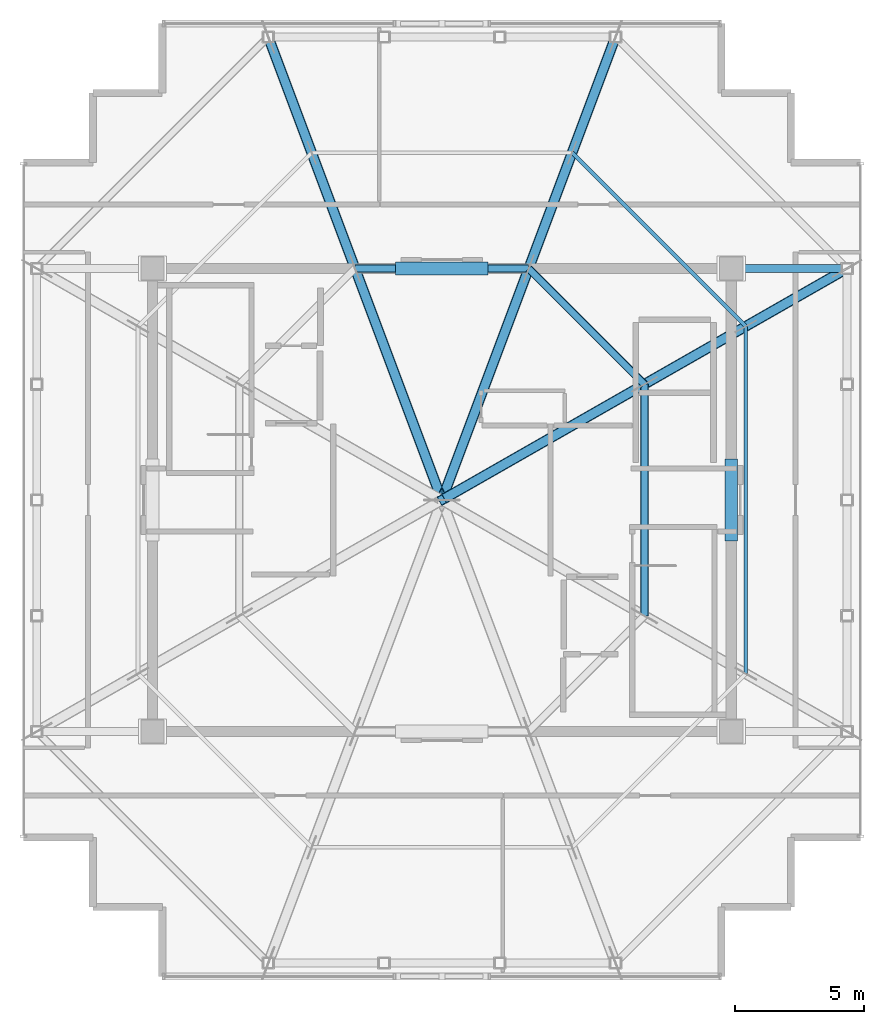
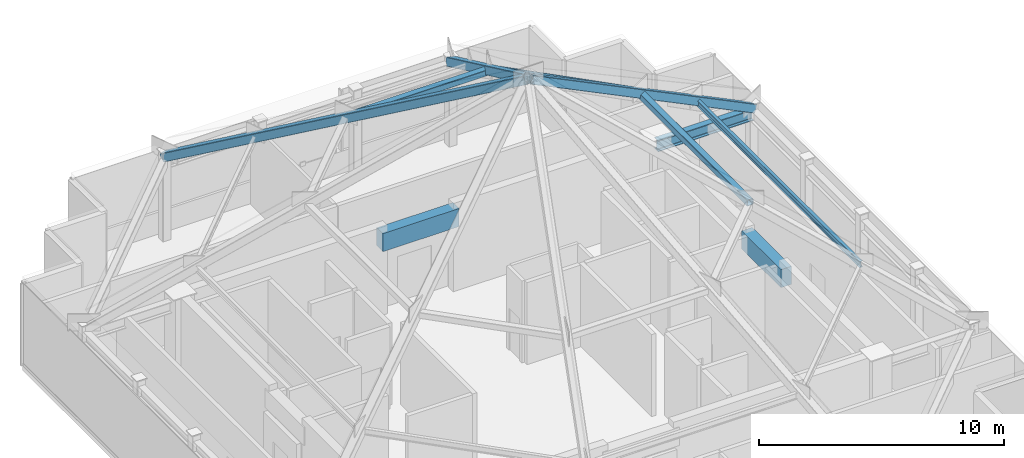
# One storey, part 7 of 17: 8 members, 3 beams.
"""IFC4 building model written with IfcOpenShell, lengths in metres."""

from ifc_helpers import new_model, si_unit, direction, frame, origin, origin_2d, place, context, subcontext, project, spatial, rectangle, hollow_rectangle, i_section, extrude, source, transform, mapped, material, material_profile, profile_set, type_object, element, save


model = new_model("IFC4")

# Units and contexts
model_context = context("Model", 3, precision=1e-05, world=origin(), true_north=direction((0.0, 1.0)))
body_context = subcontext(model_context, "Body", "Model", "MODEL_VIEW")
ifc_project = project(units=[si_unit("LENGTHUNIT", "METRE"), si_unit("AREAUNIT", "SQUARE_METRE"), si_unit("VOLUMEUNIT", "CUBIC_METRE"), si_unit("PLANEANGLEUNIT", "RADIAN"), si_unit("MASSUNIT", "GRAM", prefix="KILO")], contexts=[model_context])

# Site, building, storey
site_placement = place(None, origin())
site = spatial("IfcSite", under=ifc_project, at=site_placement, CompositionType="ELEMENT")
building_placement = place(site_placement, origin())
building = spatial("IfcBuilding", under=site, at=building_placement, Name="Nefas-Gora Pilgrimage Tower", CompositionType="ELEMENT")
storey_placement = place(building_placement, frame((0.0, 0.0, 367.39990234375)))
storey = spatial("IfcBuildingStorey", under=building, at=storey_placement, Name="L92", CompositionType="ELEMENT", Elevation=367.39990234375)

# Beams
ifc_material_1 = material(Name="Concrete C50/60", Category="concrete")
ifc_material_profile_1 = material_profile(ifc_material_1, rectangle(XDim=0.5, YDim=0.89990234375, at=origin_2d()), Name="RC 500x900")
ifc_profile_set_1 = profile_set([ifc_material_profile_1], Name="Concrete C50/60")
beam_type_1 = type_object("IfcBeamType", Name="BM-LIN-RC900", PredefinedType="LINTEL", material=ifc_profile_set_1)
shared_shape_1 = source(origin(), body_context, "Body", "SweptSolid", [
    extrude(rectangle(XDim=0.5, YDim=0.89990234375, at=origin_2d()), origin(), (0.0, 0.0, 1.0), 3.60009765625),
])
beam_1_placement = place(storey_placement, frame((-1.800048828125, 9.0, 3.650146484375), z_axis=(1.0, 0.0, 0.0), x_axis=(0.0, 1.0, 0.0)))
element("IfcBeam", 1, at=beam_1_placement, inside=storey, type_object=beam_type_1, Name="L92 Core Coupling Lintel Beam N", PredefinedType="LINTEL", context=body_context, shape_type="MappedRepresentation", body=[
    mapped(shared_shape_1, transform((0.0, 0.0, 0.0), x_axis=(1.0, 0.0, 0.0), y_axis=(0.0, 1.0, 0.0), z_axis=(0.0, 0.0, 1.0), scale=1.0)),
])
shared_shape_2 = source(origin(), body_context, "Body", "SweptSolid", [
    extrude(rectangle(XDim=0.5, YDim=0.89990234375, at=origin_2d()), origin(), (0.0, 0.0, 1.0), 3.2001953125),
])
beam_2_placement = place(storey_placement, frame((11.25, -1.60009765625, 3.650146484375), z_axis=(0.0, 1.0, 0.0), x_axis=(-1.0, 0.0, 0.0)))
element("IfcBeam", 2, at=beam_2_placement, inside=storey, type_object=beam_type_1, Name="L92 Core Coupling Lintel Beam E", PredefinedType="LINTEL", context=body_context, shape_type="MappedRepresentation", body=[
    mapped(shared_shape_2, transform((0.0, 0.0, 0.0), x_axis=(1.0, 0.0, 0.0), y_axis=(0.0, 1.0, 0.0), z_axis=(0.0, 0.0, 1.0), scale=1.0)),
])
ifc_material_2 = material(Name="Steel S355", Category="steel")
ifc_material_profile_2 = material_profile(ifc_material_2, i_section(OverallWidth=0.300048828125, OverallDepth=0.550048828125, WebThickness=0.014892578125, FlangeThickness=0.029052734375, FilletRadius=0.027099609375, at=origin_2d()), Name="HEB 550")
ifc_profile_set_2 = profile_set([ifc_material_profile_2], Name="Steel S355")
beam_type_2 = type_object("IfcBeamType", Name="BM-GIR-HEB550", PredefinedType="BEAM", material=ifc_profile_set_2)
shared_shape_3 = source(origin(), body_context, "Body", "SweptSolid", [
    extrude(i_section(OverallWidth=0.300048828125, OverallDepth=0.550048828125, WebThickness=0.014892578125, FlangeThickness=0.029052734375, FilletRadius=0.027099609375, at=origin_2d()), origin(), (0.0, 0.0, 1.0), 4.5),
])
beam_3_placement = place(storey_placement, frame((11.25, 9.0, 3.8251953125), z_axis=(1.0, 0.0, 0.0), x_axis=(0.0, 1.0, 0.0)))
element("IfcBeam", 3, at=beam_3_placement, inside=storey, type_object=beam_type_2, Name="L92 G-05 beam", PredefinedType="BEAM", context=body_context, shape_type="MappedRepresentation", body=[
    mapped(shared_shape_3, transform((0.0, 0.0, 0.0), x_axis=(1.0, 0.0, 0.0), y_axis=(0.0, 1.0, 0.0), z_axis=(0.0, 0.0, 1.0), scale=1.0)),
])

# Members
ifc_material_3 = material(Name="Steel S460", Category="steel")
ifc_material_profile_3 = material_profile(ifc_material_3, hollow_rectangle(XDim=0.39990234375, YDim=0.39990234375, WallThickness=0.02001953125, InnerFilletRadius=0.02001953125, OuterFilletRadius=0.0400390625, at=origin_2d()), Name="SHS 400x400x20")
ifc_profile_set_3 = profile_set([ifc_material_profile_3], Name="Steel S460")
member_type_1 = type_object("IfcMemberType", Name="MEM-CROWN-RIB", PredefinedType="RAFTER", material=ifc_profile_set_3)
shared_shape_4 = source(origin(), body_context, "Body", "SweptSolid", [
    extrude(hollow_rectangle(XDim=0.39990234375, YDim=0.39990234375, WallThickness=0.02001953125, InnerFilletRadius=0.02001953125, OuterFilletRadius=0.0400390625, at=origin_2d()), origin(), (0.0, 0.0, 1.0), 21.984375),
])
member_1_placement = place(storey_placement, frame((15.75, 9.0, 4.10009765625), z_axis=(-0.716414786328, -0.409379877902, 0.564940677859), x_axis=(0.496138938357, -0.868243142124, 0.0)))
element("IfcMember", 4, at=member_1_placement, inside=storey, type_object=member_type_1, Name="CROWN FRAME Raking Steel Rib 2", PredefinedType="RAFTER", context=body_context, shape_type="MappedRepresentation", body=[
    mapped(shared_shape_4, transform((0.0, 0.0, 0.0), x_axis=(1.0, 0.0, 0.0), y_axis=(0.0, 1.0, 0.0), z_axis=(0.0, 0.0, 1.0), scale=1.0)),
])
ifc_material_profile_4 = material_profile(ifc_material_3, hollow_rectangle(XDim=0.300048828125, YDim=0.300048828125, WallThickness=0.01611328125, InnerFilletRadius=0.01611328125, OuterFilletRadius=0.031982421875, at=origin_2d()), Name="SHS 300x300x16")
ifc_profile_set_4 = profile_set([ifc_material_profile_4], Name="Steel S460")
member_type_2 = type_object("IfcMemberType", Name="MEM-CROWN-RING", PredefinedType="STRUT", material=ifc_profile_set_4)
shared_shape_5 = source(origin(), body_context, "Body", "SweptSolid", [
    extrude(hollow_rectangle(XDim=0.300048828125, YDim=0.300048828125, WallThickness=0.01611328125, InnerFilletRadius=0.01611328125, OuterFilletRadius=0.031982421875, at=origin_2d()), origin(), (0.0, 0.0, 1.0), 9.0),
])
member_2_placement = place(storey_placement, frame((7.875, -4.5, 10.31005859375), z_axis=(0.0, 1.0, 0.0), x_axis=(-1.0, 0.0, 0.0)))
element("IfcMember", 5, at=member_2_placement, inside=storey, type_object=member_type_2, Name="CROWN FRAME Mid-Height Compression Strut 1", PredefinedType="STRUT", context=body_context, shape_type="MappedRepresentation", body=[
    mapped(shared_shape_5, transform((0.0, 0.0, 0.0), x_axis=(1.0, 0.0, 0.0), y_axis=(0.0, 1.0, 0.0), z_axis=(0.0, 0.0, 1.0), scale=1.0)),
])
ifc_material_profile_5 = material_profile(ifc_material_2, i_section(OverallWidth=0.14990234375, OverallDepth=0.300048828125, WebThickness=0.007080078125, FlangeThickness=0.0107421875, FilletRadius=0.014892578125, at=origin_2d()), Name="IPE 300")
ifc_profile_set_5 = profile_set([ifc_material_profile_5], Name="Steel S355")
member_type_3 = type_object("IfcMemberType", Name="MEM-CROWN-PURLIN", PredefinedType="PURLIN", material=ifc_profile_set_5)
shared_shape_6 = source(origin(), body_context, "Body", "SweptSolid", [
    extrude(i_section(OverallWidth=0.14990234375, OverallDepth=0.300048828125, WebThickness=0.007080078125, FlangeThickness=0.0107421875, FilletRadius=0.014892578125, at=origin_2d()), origin(), (0.0, 0.0, 1.0), 13.5),
])
member_3_placement = place(storey_placement, frame((11.8125, -6.75, 7.205078125), z_axis=(0.0, 1.0, 0.0), x_axis=(-1.0, 0.0, 0.0)))
element("IfcMember", 6, at=member_3_placement, inside=storey, type_object=member_type_3, Name="CROWN FRAME Facet Purlin 1", PredefinedType="PURLIN", context=body_context, shape_type="MappedRepresentation", body=[
    mapped(shared_shape_6, transform((0.0, 0.0, 0.0), x_axis=(1.0, 0.0, 0.0), y_axis=(0.0, 1.0, 0.0), z_axis=(0.0, 0.0, 1.0), scale=1.0)),
])
shared_shape_7 = source(origin(), body_context, "Body", "SweptSolid", [
    extrude(hollow_rectangle(XDim=0.300048828125, YDim=0.300048828125, WallThickness=0.01611328125, InnerFilletRadius=0.01611328125, OuterFilletRadius=0.031982421875, at=origin_2d()), origin(), (0.0, 0.0, 1.0), 6.364013671875),
])
member_4_placement = place(storey_placement, frame((7.875, 4.5, 10.31005859375), z_axis=(-0.707106781187, 0.707106781187, 0.0), x_axis=(-0.707106781187, -0.707106781187, 0.0)))
element("IfcMember", 7, at=member_4_placement, inside=storey, type_object=member_type_2, Name="CROWN FRAME Mid-Height Compression Strut 2", PredefinedType="STRUT", context=body_context, shape_type="MappedRepresentation", body=[
    mapped(shared_shape_7, transform((0.0, 0.0, 0.0), x_axis=(1.0, 0.0, 0.0), y_axis=(0.0, 1.0, 0.0), z_axis=(0.0, 0.0, 1.0), scale=1.0)),
])
shared_shape_8 = source(origin(), body_context, "Body", "SweptSolid", [
    extrude(i_section(OverallWidth=0.14990234375, OverallDepth=0.300048828125, WebThickness=0.007080078125, FlangeThickness=0.0107421875, FilletRadius=0.014892578125, at=origin_2d()), origin(), (0.0, 0.0, 1.0), 9.5458984375),
])
member_5_placement = place(storey_placement, frame((11.8125, 6.75, 7.205078125), z_axis=(-0.707106781187, 0.707106781187, 0.0), x_axis=(-0.707106781187, -0.707106781187, 0.0)))
element("IfcMember", 8, at=member_5_placement, inside=storey, type_object=member_type_3, Name="CROWN FRAME Facet Purlin 2", PredefinedType="PURLIN", context=body_context, shape_type="MappedRepresentation", body=[
    mapped(shared_shape_8, transform((0.0, 0.0, 0.0), x_axis=(1.0, 0.0, 0.0), y_axis=(0.0, 1.0, 0.0), z_axis=(0.0, 0.0, 1.0), scale=1.0)),
])
shared_shape_9 = source(origin(), body_context, "Body", "SweptSolid", [
    extrude(hollow_rectangle(XDim=0.39990234375, YDim=0.39990234375, WallThickness=0.02001953125, InnerFilletRadius=0.02001953125, OuterFilletRadius=0.0400390625, at=origin_2d()), origin(), (0.0, 0.0, 1.0), 22.886962890625),
])
for number, where, z_axis, x_axis, name in (
    (9, (6.75, 18.0, 4.10009765625), (-0.294926634647, -0.786471025725, 0.542661594247), (0.936329177569, -0.351123441588, 0.0), "CROWN FRAME Raking Steel Rib 3"),
    (10, (-6.75, 18.0, 4.10009765625), (0.294926634647, -0.786471025725, 0.542661594247), (0.936329177569, 0.351123441588, 0.0), "CROWN FRAME Raking Steel Rib 4"),
):
    element("IfcMember", number, at=place(storey_placement, frame(where, z_axis=z_axis, x_axis=x_axis)), inside=storey, type_object=member_type_1, Name=name, PredefinedType="RAFTER", context=body_context, shape_type="MappedRepresentation", body=[
        mapped(shared_shape_9, transform((0.0, 0.0, 0.0), x_axis=(1.0, 0.0, 0.0), y_axis=(0.0, 1.0, 0.0), z_axis=(0.0, 0.0, 1.0), scale=1.0)),
    ])
shared_shape_10 = source(origin(), body_context, "Body", "SweptSolid", [
    extrude(hollow_rectangle(XDim=0.300048828125, YDim=0.300048828125, WallThickness=0.01611328125, InnerFilletRadius=0.01611328125, OuterFilletRadius=0.031982421875, at=origin_2d()), origin(), (0.0, 0.0, 1.0), 6.75),
])
member_6_placement = place(storey_placement, frame((3.375, 9.0, 10.31005859375), z_axis=(-1.0, 0.0, 0.0), x_axis=(0.0, -1.0, 0.0)))
element("IfcMember", 11, at=member_6_placement, inside=storey, type_object=member_type_2, Name="CROWN FRAME Mid-Height Compression Strut 3", PredefinedType="STRUT", context=body_context, shape_type="MappedRepresentation", body=[
    mapped(shared_shape_10, transform((0.0, 0.0, 0.0), x_axis=(1.0, 0.0, 0.0), y_axis=(0.0, 1.0, 0.0), z_axis=(0.0, 0.0, 1.0), scale=1.0)),
])

save(model, "model.ifc")
